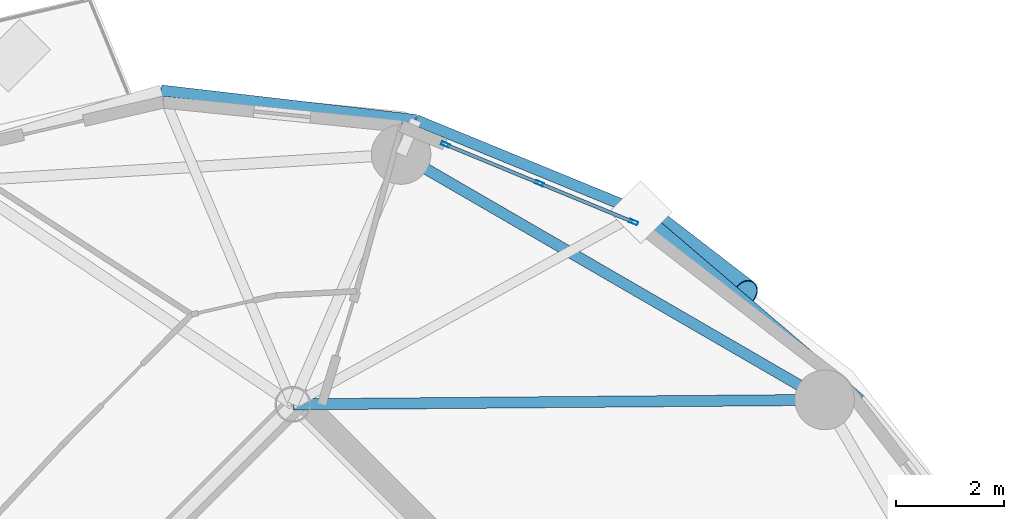
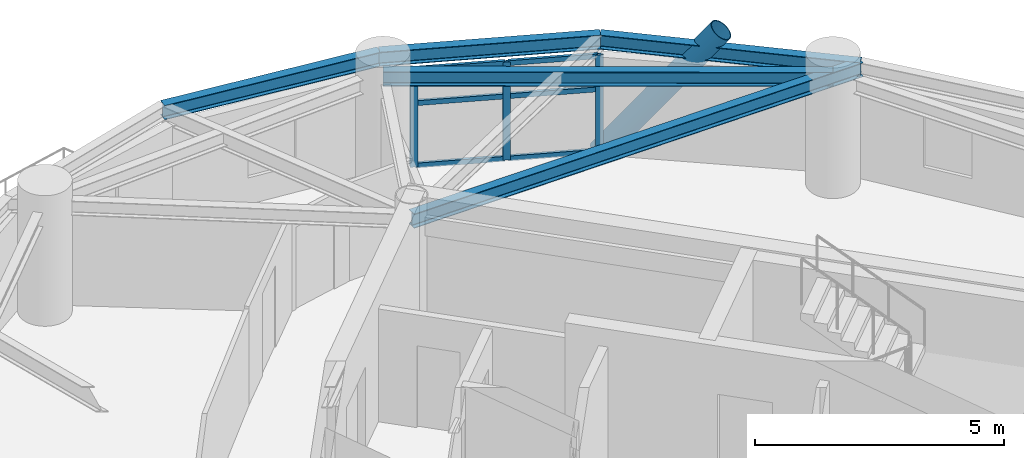
# One storey, part 5 of 15: 10 members, 5 beams, 1 element without a shape of its own.
"""IFC4 building model written with IfcOpenShell, lengths in metres."""

from ifc_helpers import new_model, si_unit, direction, frame, origin, origin_2d, place, context, subcontext, project, spatial, hollow_rectangle, hollow_circle, i_section, extrude, material, layer, layer_set, material_profile, profile_set, type_object, element, aggregate, save


model = new_model("IFC4")

# Units and contexts
model_context = context("Model", 3, precision=1e-05, world=origin(), true_north=direction((0.0, 1.0)))
body_context = subcontext(model_context, "Body", "Model", "MODEL_VIEW")
ifc_project = project(units=[si_unit("LENGTHUNIT", "METRE"), si_unit("AREAUNIT", "SQUARE_METRE"), si_unit("VOLUMEUNIT", "CUBIC_METRE"), si_unit("PLANEANGLEUNIT", "RADIAN"), si_unit("MASSUNIT", "GRAM", prefix="KILO")], contexts=[model_context])

# Site, building, storey
site_placement = place(None, origin())
site = spatial("IfcSite", under=ifc_project, at=site_placement, CompositionType="ELEMENT")
building_placement = place(site_placement, origin())
building = spatial("IfcBuilding", under=site, at=building_placement, Name="Cununo Teusaquillo Station Towers", CompositionType="ELEMENT")
storey_placement = place(building_placement, frame((0.0, 0.0, 232.449951171875)))
storey = spatial("IfcBuildingStorey", under=building, at=storey_placement, Name="L74", CompositionType="ELEMENT", Elevation=232.449951171875)

# Beams
ifc_material_1 = material(Name="Steel ASTM A572 Grade 50", Category="steel")
ifc_material_profile_1 = material_profile(ifc_material_1, i_section(OverallWidth=0.2041015625, OverallDepth=0.35009765625, WebThickness=0.008544921875, FlangeThickness=0.01513671875, FilletRadius=0.011962890625, at=origin_2d()), Name="W14X48")
ifc_profile_set_1 = profile_set([ifc_material_profile_1], Name="Steel ASTM A572 Grade 50")
beam_type_1 = type_object("IfcBeamType", Name="BM-RAD-G3", PredefinedType="BEAM", material=ifc_profile_set_1)
beam_1_placement = place(storey_placement, frame((56.29443359375, 33.024169921875, 2.60498046875), z_axis=(0.999964325253, 0.008446787673, 0.0), x_axis=(-0.008446787673, 0.999964325253, 0.0)))
element("IfcBeam", 1, at=beam_1_placement, inside=storey, type_object=beam_type_1, Name="L74 Tower B Continuous Overhanging Radial Girder 01", PredefinedType="BEAM", context=body_context, shape_type="SweptSolid", body=[
    extrude(i_section(OverallWidth=0.2041015625, OverallDepth=0.35009765625, WebThickness=0.008544921875, FlangeThickness=0.01513671875, FilletRadius=0.011962890625, at=origin_2d()), origin(), (0.0, 0.0, 1.0), 10.463134765625),
])
ifc_material_2 = material(Name="Steel ASTM A572 Grade 50", Category="steel")
ifc_material_profile_2 = material_profile(ifc_material_2, i_section(OverallWidth=0.2041015625, OverallDepth=0.35009765625, WebThickness=0.008544921875, FlangeThickness=0.01513671875, FilletRadius=0.011962890625, at=origin_2d()), Name="W14X48")
ifc_profile_set_2 = profile_set([ifc_material_profile_2], Name="Steel ASTM A572 Grade 50")
beam_type_2 = type_object("IfcBeamType", Name="BM-RING-Z4", PredefinedType="SPANDREL", material=ifc_profile_set_2)
beam_2_placement = place(storey_placement, frame((66.10693359375, 33.10693359375, 2.60498046875), z_axis=(-0.865267103202, 0.501311121078, 0.0), x_axis=(-0.501311121078, -0.865267103202, 0.0)))
element("IfcBeam", 2, at=beam_2_placement, inside=storey, type_object=beam_type_2, Name="L74 Tower B Structural Column Ring Girder 01", PredefinedType="SPANDREL", context=body_context, shape_type="SweptSolid", body=[
    extrude(i_section(OverallWidth=0.2041015625, OverallDepth=0.35009765625, WebThickness=0.008544921875, FlangeThickness=0.01513671875, FilletRadius=0.011962890625, at=origin_2d()), origin(), (0.0, 0.0, 1.0), 9.032958984375),
])
beam_3_placement = place(storey_placement, frame((66.757080078125, 33.112548828125, 2.60498046875), z_axis=(-0.760065778291, 0.649846145385, 0.0), x_axis=(-0.649846145385, -0.760065778291, 0.0)))
element("IfcBeam", 3, at=beam_3_placement, inside=storey, type_object=beam_type_2, Name="L74 Tower B Spandrel Ring Beam 01", PredefinedType="SPANDREL", context=body_context, shape_type="SweptSolid", body=[
    extrude(i_section(OverallWidth=0.2041015625, OverallDepth=0.35009765625, WebThickness=0.008544921875, FlangeThickness=0.01513671875, FilletRadius=0.011962890625, at=origin_2d()), origin(), (0.0, 0.0, 1.0), 5.320556640625),
])
beam_4_placement = place(storey_placement, frame((62.713134765625, 36.570068359375, 2.60498046875), z_axis=(-0.925283830437, 0.379275405388, 0.0), x_axis=(-0.379275405388, -0.925283830437, 0.0)))
element("IfcBeam", 4, at=beam_4_placement, inside=storey, type_object=beam_type_2, Name="L74 Tower B Spandrel Ring Beam 02", PredefinedType="SPANDREL", context=body_context, shape_type="SweptSolid", body=[
    extrude(i_section(OverallWidth=0.2041015625, OverallDepth=0.35009765625, WebThickness=0.008544921875, FlangeThickness=0.01513671875, FilletRadius=0.011962890625, at=origin_2d()), origin(), (0.0, 0.0, 1.0), 4.482177734375),
])
beam_5_placement = place(storey_placement, frame((58.56591796875, 38.27001953125, 2.60498046875), z_axis=(-0.993313022334, 0.115452326356, 0.0), x_axis=(-0.115452326356, -0.993313022334, 0.0)))
element("IfcBeam", 5, at=beam_5_placement, inside=storey, type_object=beam_type_2, Name="L74 Tower B Spandrel Ring Beam 03", PredefinedType="SPANDREL", context=body_context, shape_type="SweptSolid", body=[
    extrude(i_section(OverallWidth=0.2041015625, OverallDepth=0.35009765625, WebThickness=0.008544921875, FlangeThickness=0.01513671875, FilletRadius=0.011962890625, at=origin_2d()), origin(), (0.0, 0.0, 1.0), 4.732666015625),
])

# Curtain wall, members
ifc_material_3 = material(Name="Ceramic-fritted dark low-E double glazing", Category="glass")
ifc_layer = layer(ifc_material_3, 0.179931640625)
ifc_layer_set = layer_set([ifc_layer], Name="Ceramic-fritted dark low-E double glazing")
curtain_wall_type = type_object("IfcCurtainWallType", Name="CW-SYS-07", PredefinedType="USERDEFINED", material=ifc_layer_set)
curtain_wall_placement = place(storey_placement, origin())
curtain_wall = element("IfcCurtainWall", 6, at=curtain_wall_placement, inside=storey, type_object=curtain_wall_type, Name="L74 Tower B Facade Curtain Wall C01", ObjectType="FRITTED GLAZING", PredefinedType="USERDEFINED")
ifc_material_4 = material(Name="Anodised dark bronze aluminium EN AW-6063-T6", Category="aluminium")
ifc_material_profile_3 = material_profile(ifc_material_4, hollow_rectangle(XDim=0.06494140625, YDim=0.159912109375, WallThickness=0.00390625, at=origin_2d()), Name="CW-MULL-65x160")
ifc_profile_set_3 = profile_set([ifc_material_profile_3], Name="Anodised dark bronze aluminium EN AW-6063-T6")
member_type_1 = type_object("IfcMemberType", Name="CWM-160", PredefinedType="MULLION", material=ifc_profile_set_3)
member_1_placement = place(storey_placement, frame((59.111328125, 37.818359375, 0.0), z_axis=(0.0, 0.0, 1.0), x_axis=(0.381310513086, 0.924447019904, 0.0)))
member_1 = element("IfcMember", 7, at=member_1_placement, type_object=member_type_1, Name="CW-07 mullion 1", PredefinedType="MULLION", context=body_context, shape_type="SweptSolid", body=[
    extrude(hollow_rectangle(XDim=0.06494140625, YDim=0.159912109375, WallThickness=0.00390625, at=origin_2d()), origin(), (0.0, 0.0, 1.0), 2.402099609375),
])
member_2_placement = place(storey_placement, frame((60.84716796875, 37.102294921875, 0.0), z_axis=(0.0, 0.0, 1.0), x_axis=(0.381310513086, 0.924447019904, 0.0)))
member_2 = element("IfcMember", 8, at=member_2_placement, type_object=member_type_1, Name="CW-07 mullion 2", PredefinedType="MULLION", context=body_context, shape_type="SweptSolid", body=[
    extrude(hollow_rectangle(XDim=0.06494140625, YDim=0.159912109375, WallThickness=0.00390625, at=origin_2d()), origin(), (0.0, 0.0, 1.0), 2.402099609375),
])
member_3_placement = place(storey_placement, frame((62.583251953125, 36.38623046875, 0.0), z_axis=(0.0, 0.0, 1.0), x_axis=(0.381310513086, 0.924447019904, 0.0)))
member_3 = element("IfcMember", 9, at=member_3_placement, type_object=member_type_1, Name="CW-07 mullion 3", PredefinedType="MULLION", context=body_context, shape_type="SweptSolid", body=[
    extrude(hollow_rectangle(XDim=0.06494140625, YDim=0.159912109375, WallThickness=0.00390625, at=origin_2d()), origin(), (0.0, 0.0, 1.0), 2.402099609375),
])
ifc_material_5 = material(Name="Anodised dark bronze aluminium EN AW-6063-T6", Category="aluminium")
ifc_material_profile_4 = material_profile(ifc_material_5, hollow_rectangle(XDim=0.06494140625, YDim=0.1201171875, WallThickness=0.00390625, at=origin_2d()), Name="CW-TRAN-65x120")
ifc_profile_set_4 = profile_set([ifc_material_profile_4], Name="Anodised dark bronze aluminium EN AW-6063-T6")
member_type_2 = type_object("IfcMemberType", Name="CWT-120", PredefinedType="USERDEFINED", material=ifc_profile_set_4)
member_4_placement = place(storey_placement, frame((59.141357421875, 37.805908203125, 0.032470703125), z_axis=(0.924457591038, -0.381284883483, 0.0), x_axis=(0.381284883483, 0.924457591038, 0.0)))
member_4 = element("IfcMember", 10, at=member_4_placement, type_object=member_type_2, Name="CW-07 transom 1.1", ObjectType="TRANSOM", PredefinedType="USERDEFINED", context=body_context, shape_type="SweptSolid", body=[
    extrude(hollow_rectangle(XDim=0.06494140625, YDim=0.1201171875, WallThickness=0.00390625, at=origin_2d()), origin(), (0.0, 0.0, 1.0), 1.812744140625),
])
member_5_placement = place(storey_placement, frame((59.141357421875, 37.805908203125, 1.56103515625), z_axis=(0.924457591038, -0.381284883483, 0.0), x_axis=(0.381284883483, 0.924457591038, 0.0)))
member_5 = element("IfcMember", 11, at=member_5_placement, type_object=member_type_2, Name="CW-07 transom 1.2", ObjectType="TRANSOM", PredefinedType="USERDEFINED", context=body_context, shape_type="SweptSolid", body=[
    extrude(hollow_rectangle(XDim=0.06494140625, YDim=0.1201171875, WallThickness=0.00390625, at=origin_2d()), origin(), (0.0, 0.0, 1.0), 1.812744140625),
])
member_6_placement = place(storey_placement, frame((59.141357421875, 37.805908203125, 2.36962890625), z_axis=(0.924457591038, -0.381284883483, 0.0), x_axis=(0.381284883483, 0.924457591038, 0.0)))
member_6 = element("IfcMember", 12, at=member_6_placement, type_object=member_type_2, Name="CW-07 transom 1.3", ObjectType="TRANSOM", PredefinedType="USERDEFINED", context=body_context, shape_type="SweptSolid", body=[
    extrude(hollow_rectangle(XDim=0.06494140625, YDim=0.1201171875, WallThickness=0.00390625, at=origin_2d()), origin(), (0.0, 0.0, 1.0), 1.812744140625),
])
member_7_placement = place(storey_placement, frame((60.877197265625, 37.08984375, 0.032470703125), z_axis=(0.92447716721, -0.381237415932, 0.0), x_axis=(0.381237415932, 0.92447716721, 0.0)))
member_7 = element("IfcMember", 13, at=member_7_placement, type_object=member_type_2, Name="CW-07 transom 2.1", ObjectType="TRANSOM", PredefinedType="USERDEFINED", context=body_context, shape_type="SweptSolid", body=[
    extrude(hollow_rectangle(XDim=0.06494140625, YDim=0.1201171875, WallThickness=0.00390625, at=origin_2d()), origin(), (0.0, 0.0, 1.0), 1.81298828125),
])
member_8_placement = place(storey_placement, frame((60.877197265625, 37.08984375, 1.56103515625), z_axis=(0.92447716721, -0.381237415932, 0.0), x_axis=(0.381237415932, 0.92447716721, 0.0)))
member_8 = element("IfcMember", 14, at=member_8_placement, type_object=member_type_2, Name="CW-07 transom 2.2", ObjectType="TRANSOM", PredefinedType="USERDEFINED", context=body_context, shape_type="SweptSolid", body=[
    extrude(hollow_rectangle(XDim=0.06494140625, YDim=0.1201171875, WallThickness=0.00390625, at=origin_2d()), origin(), (0.0, 0.0, 1.0), 1.81298828125),
])
member_9_placement = place(storey_placement, frame((60.877197265625, 37.08984375, 2.36962890625), z_axis=(0.92447716721, -0.381237415932, 0.0), x_axis=(0.381237415932, 0.92447716721, 0.0)))
member_9 = element("IfcMember", 15, at=member_9_placement, type_object=member_type_2, Name="CW-07 transom 2.3", ObjectType="TRANSOM", PredefinedType="USERDEFINED", context=body_context, shape_type="SweptSolid", body=[
    extrude(hollow_rectangle(XDim=0.06494140625, YDim=0.1201171875, WallThickness=0.00390625, at=origin_2d()), origin(), (0.0, 0.0, 1.0), 1.81298828125),
])
aggregate(curtain_wall, [member_1, member_2, member_3, member_4, member_5, member_6, member_7, member_8, member_9])

# Member
ifc_material_6 = material(Name="Steel EN 10025-2 S355J2", Category="steel")
ifc_material_profile_5 = material_profile(ifc_material_6, hollow_circle(Radius=0.25390625, WallThickness=0.01806640625, at=origin_2d()), Name="CHS 508x18")
ifc_profile_set_5 = profile_set([ifc_material_profile_5], Name="Steel EN 10025-2 S355J2")
member_type_3 = type_object("IfcMemberType", Name="MBR-DIAG-Z4", PredefinedType="BRACE", material=ifc_profile_set_5)
member_10_placement = place(storey_placement, frame((62.713134765625, 36.570068359375, -0.139892578125), z_axis=(0.480900062149, -0.370496757412, 0.794649157159), x_axis=(0.610304239587, 0.792167113141, 0.0)))
element("IfcMember", 16, at=member_10_placement, inside=storey, type_object=member_type_3, Name="L74 Tower B Folded-Zigzag Diagrid Tube C00", PredefinedType="BRACE", context=body_context, shape_type="SweptSolid", body=[
    extrude(hollow_circle(Radius=0.25390625, WallThickness=0.01806640625, at=origin_2d()), origin(), (0.0, 0.0, 1.0), 4.02685546875),
])

save(model, "model.ifc")
